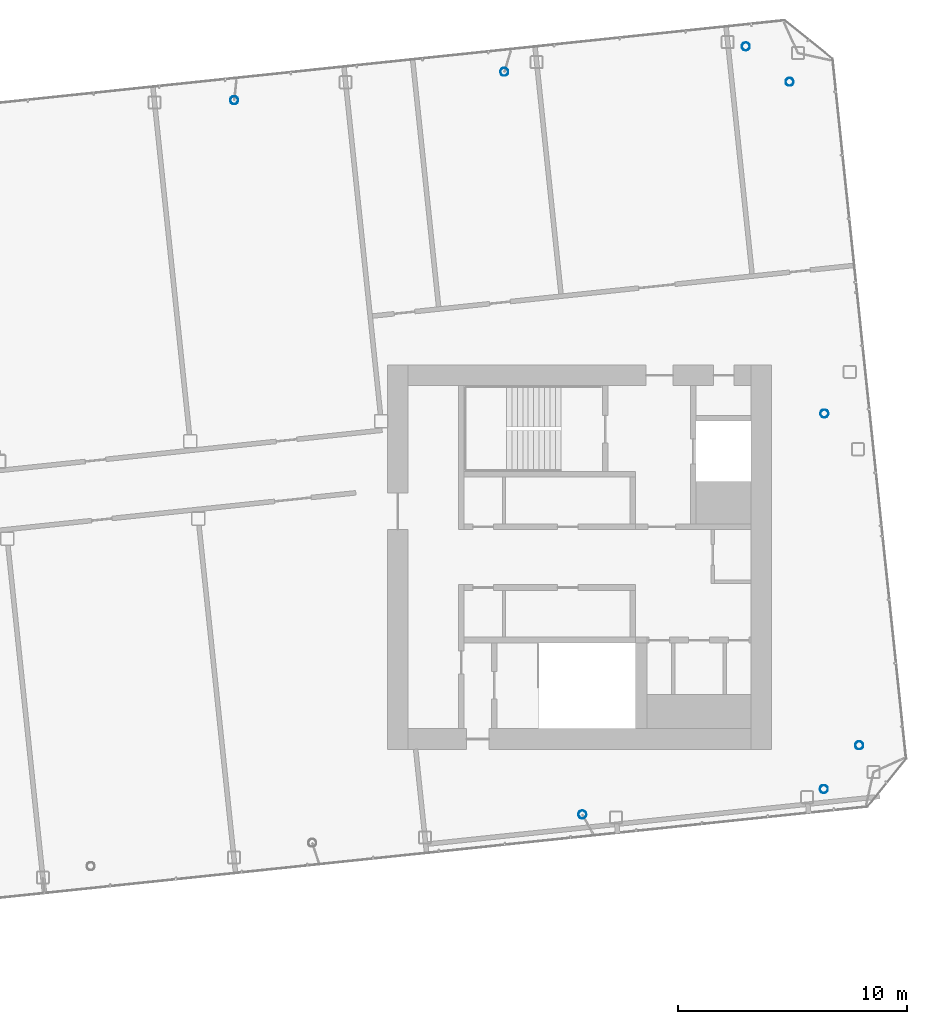
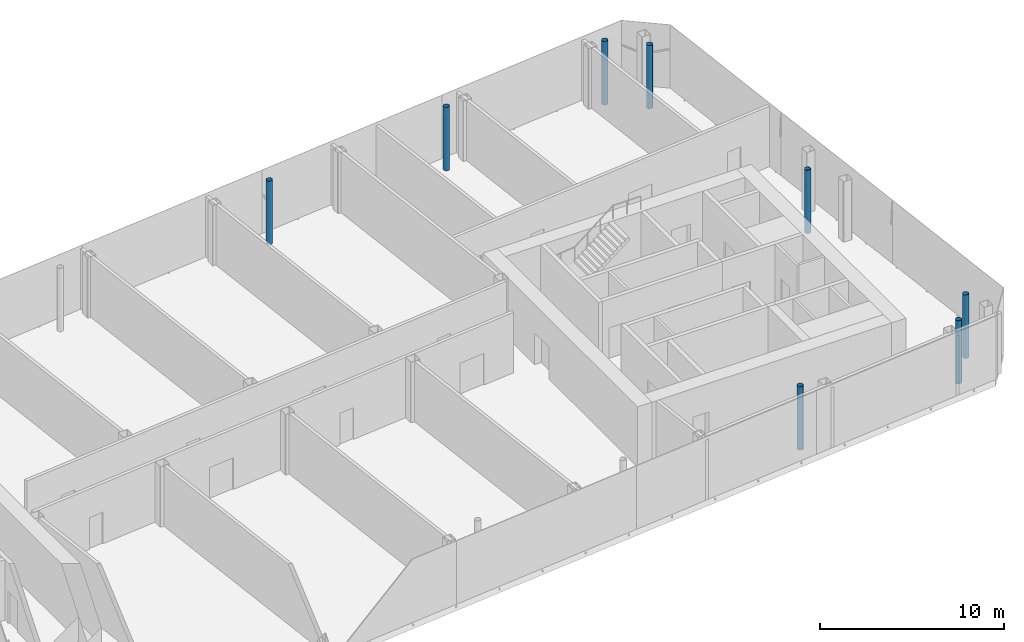
# One storey, part 6 of 28: 8 members.
"""IFC4 building model written with IfcOpenShell, lengths in metres."""

from ifc_helpers import new_model, si_unit, direction, frame, origin, origin_2d, place, context, subcontext, project, spatial, hollow_circle, extrude, material, material_profile, profile_set, type_object, element, save


model = new_model("IFC4")

# Units and contexts
model_context = context("Model", 3, precision=1e-05, world=origin(), true_north=direction((0.0, 1.0)))
body_context = subcontext(model_context, "Body", "Model", "MODEL_VIEW")
ifc_project = project(units=[si_unit("LENGTHUNIT", "METRE"), si_unit("AREAUNIT", "SQUARE_METRE"), si_unit("VOLUMEUNIT", "CUBIC_METRE"), si_unit("PLANEANGLEUNIT", "RADIAN"), si_unit("MASSUNIT", "GRAM", prefix="KILO")], contexts=[model_context])

# Site, building, storey
site_placement = place(None, origin())
site = spatial("IfcSite", under=ifc_project, at=site_placement, CompositionType="ELEMENT")
building_placement = place(site_placement, origin())
building = spatial("IfcBuilding", under=site, at=building_placement, Name="Hakoniwa Tower and Hamabe Station Hall", CompositionType="ELEMENT")
storey_placement = place(building_placement, frame((0.0, 0.0, 280.800048828125)))
storey = spatial("IfcBuildingStorey", under=building, at=storey_placement, Name="L78", CompositionType="ELEMENT", Elevation=280.800048828125)

# Members
ifc_material = material(Name="Steel STK490", Category="steel")
ifc_material_profile = material_profile(ifc_material, hollow_circle(Radius=0.177734375, WallThickness=0.0126953125, at=origin_2d()), Name="CHS-355.6x12.7")
ifc_profile_set = profile_set([ifc_material_profile], Name="Steel STK490")
member_type = type_object("IfcMemberType", Name="CROWN RIB CHS-355.6x12.7", PredefinedType="MEMBER", material=ifc_profile_set)
for number, where, z_axis, x_axis, name in (
    (1, (34.38818359375, 20.7802734375, 0.0), (0.0, 0.0, 1.0), (1.0, 0.0, 0.0), "CROWN FRAME CRP-01"),
    (2, (32.475341796875, 22.32958984375, 0.0), (0.0, 0.0, 1.0), (1.0, 0.0, 0.0), "CROWN FRAME CRP-02"),
    (3, (21.916748046875, 21.2197265625, 0.0), (0.0, 0.0, 1.0), (1.0, 0.0, 0.0), "CROWN FRAME CRP-03"),
    (4, (10.10498046875, 19.978271484375, 0.0), (0.0, 0.0, 1.0), (1.0, 0.0, 0.0), "CROWN FRAME CRP-04"),
    (5, (25.329833984375, -11.25390625, 0.0), (0.0, 0.0, 1.0), (1.0, 0.0, 0.0), "CROWN FRAME CRP-17"),
    (6, (35.888427734375, -10.14404296875, 0.0), (0.0, 0.0, 1.0), (1.0, 0.0, 0.0), "CROWN FRAME CRP-18"),
    (7, (37.4375, -8.231201171875, 0.0), (0.0, 0.0, 1.0), (1.0, 0.0, 0.0), "CROWN FRAME CRP-19"),
    (8, (35.9130859375, 6.274658203125, 0.0), (0.0, 0.0, 1.0), (1.0, 0.0, 0.0), "CROWN FRAME CRP-20"),
):
    element("IfcMember", number, at=place(storey_placement, frame(where, z_axis=z_axis, x_axis=x_axis)), inside=storey, type_object=member_type, Name=name, PredefinedType="MEMBER", context=body_context, shape_type="SweptSolid", body=[
        extrude(hollow_circle(Radius=0.177734375, WallThickness=0.0126953125, at=origin_2d()), origin(), (0.0, 0.0, 1.0), 4.199951171875),
    ])

save(model, "model.ifc")
